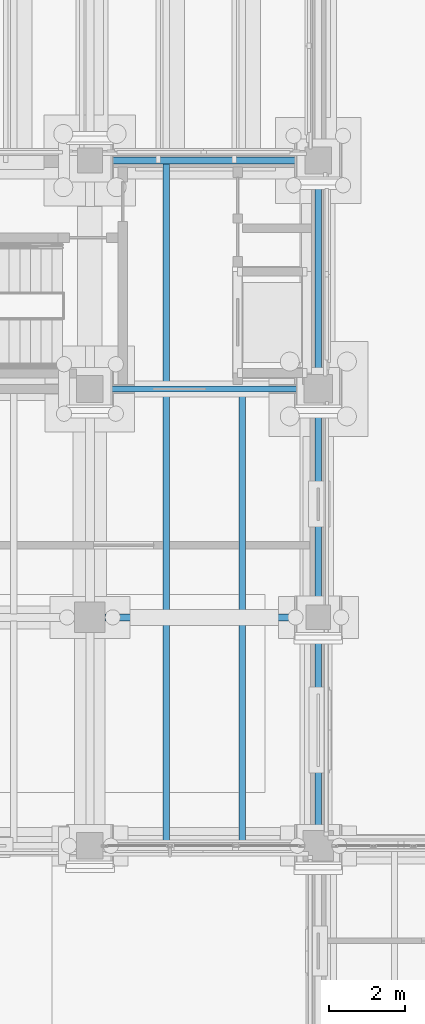
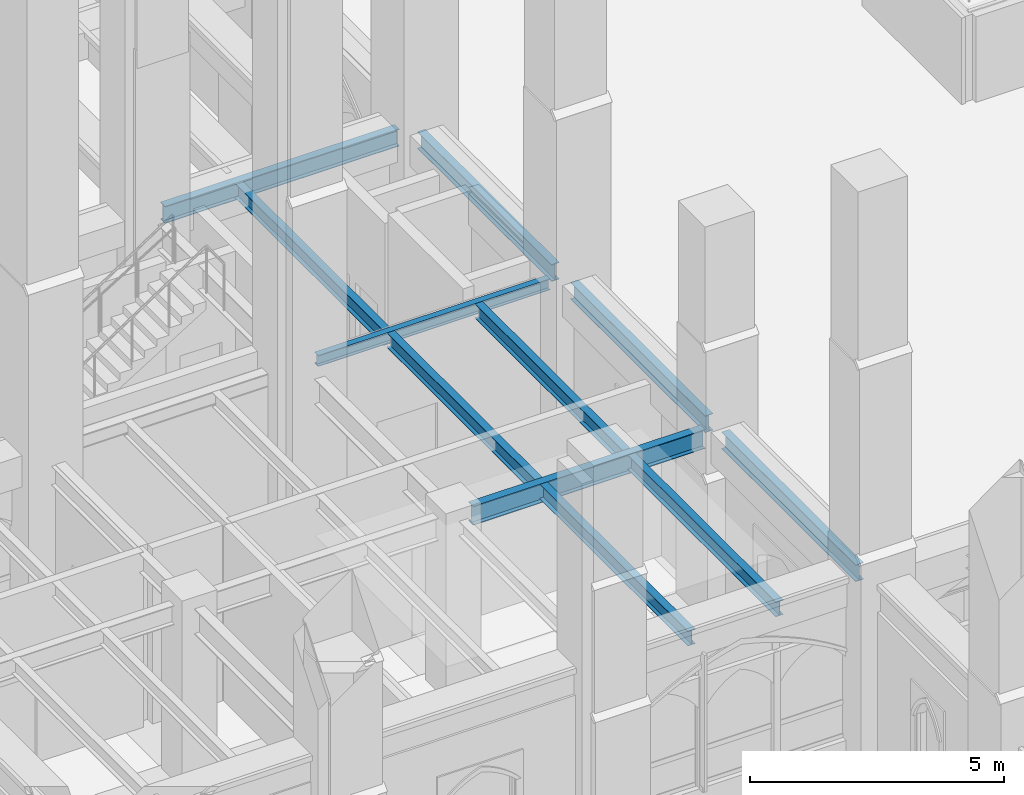
# One storey, part 22 of 135: 11 beams.
"""IFC4 building model written with IfcOpenShell, lengths in metres."""

from ifc_helpers import new_model, si_unit, direction, frame, origin, origin_2d, place, context, subcontext, project, spatial, i_section, extrude, material, material_profile, profile_set, type_object, element, save


model = new_model("IFC4")

# Units and contexts
model_context = context("Model", 3, precision=1e-05, world=origin(), true_north=direction((0.0, 1.0)))
body_context = subcontext(model_context, "Body", "Model", "MODEL_VIEW")
ifc_project = project(units=[si_unit("LENGTHUNIT", "METRE"), si_unit("AREAUNIT", "SQUARE_METRE"), si_unit("VOLUMEUNIT", "CUBIC_METRE"), si_unit("PLANEANGLEUNIT", "RADIAN"), si_unit("MASSUNIT", "GRAM", prefix="KILO")], contexts=[model_context])

# Site, building, storey
site_placement = place(None, origin())
site = spatial("IfcSite", under=ifc_project, at=site_placement, CompositionType="ELEMENT")
building_placement = place(site_placement, origin())
building = spatial("IfcBuilding", under=site, at=building_placement, Name="Cumevento Cable Car Station", CompositionType="ELEMENT")
storey_placement = place(building_placement, origin())
storey = spatial("IfcBuildingStorey", under=building, at=storey_placement, Name="L01", CompositionType="ELEMENT", Elevation=0.0)

# Beams
ifc_material_1 = material(Name="Steel ASTM A572 Grade 50", Category="steel")
ifc_material_profile_1 = material_profile(ifc_material_1, i_section(OverallWidth=0.18994140625, OverallDepth=0.45703125, WebThickness=0.009033203125, FlangeThickness=0.014404296875, at=origin_2d()), Name="W460x74.0")
ifc_profile_set_1 = profile_set([ifc_material_profile_1], Name="Steel ASTM A572 Grade 50")
beam_type_1 = type_object("IfcBeamType", Name="Structural Beam BM-04 W460x74.0", PredefinedType="BEAM", material=ifc_profile_set_1)
beam_1_placement = place(storey_placement, frame((16.39990234375, 21.0, 3.987548828125), z_axis=(1.0, 0.0, 0.0), x_axis=(0.0, 1.0, 0.0)))
element("IfcBeam", 1, at=beam_1_placement, inside=storey, type_object=beam_type_1, Name="Beam BM-04 L01 #97", PredefinedType="BEAM", context=body_context, shape_type="SweptSolid", body=[
    extrude(i_section(OverallWidth=0.18994140625, OverallDepth=0.45703125, WebThickness=0.009033203125, FlangeThickness=0.014404296875, at=origin_2d()), origin(), (0.0, 0.0, 1.0), 5.275146484375),
])
ifc_material_2 = material(Name="Steel ASTM A572 Grade 50", Category="steel")
ifc_material_profile_2 = material_profile(ifc_material_2, i_section(OverallWidth=0.14794921875, OverallDepth=0.26611328125, WebThickness=0.007568359375, FlangeThickness=0.012939453125, at=origin_2d()), Name="W250x44.8")
ifc_profile_set_2 = profile_set([ifc_material_profile_2], Name="Steel ASTM A572 Grade 50")
beam_type_2 = type_object("IfcBeamType", Name="Structural Beam BM-07 W250x44.8", PredefinedType="BEAM", material=ifc_profile_set_2)
beam_2_placement = place(storey_placement, frame((16.35009765625, 27.0, 4.071044921875), z_axis=(1.0, 0.0, 0.0), x_axis=(0.0, 1.0, 0.0)))
element("IfcBeam", 2, at=beam_2_placement, inside=storey, type_object=beam_type_2, Name="Beam BM-07 L01 #100", PredefinedType="BEAM", context=body_context, shape_type="SweptSolid", body=[
    extrude(i_section(OverallWidth=0.14794921875, OverallDepth=0.26611328125, WebThickness=0.007568359375, FlangeThickness=0.012939453125, at=origin_2d()), origin(), (0.0, 0.0, 1.0), 5.27490234375),
])
ifc_material_3 = material(Name="Steel ASTM A572 Grade 50", Category="steel")
ifc_material_profile_3 = material_profile(ifc_material_3, i_section(OverallWidth=0.179931640625, OverallDepth=0.4130859375, WebThickness=0.009765625, FlangeThickness=0.01611328125, at=origin_2d()), Name="W410x74.0")
ifc_profile_set_3 = profile_set([ifc_material_profile_3], Name="Steel ASTM A572 Grade 50")
beam_type_3 = type_object("IfcBeamType", Name="Structural Beam BM-09 W410x74.0", PredefinedType="BEAM", material=ifc_profile_set_3)
beam_3_placement = place(storey_placement, frame((16.324951171875, 33.0, 3.96337890625), z_axis=(1.0, 0.0, 0.0), x_axis=(0.0, 1.0, 0.0)))
element("IfcBeam", 3, at=beam_3_placement, inside=storey, type_object=beam_type_3, Name="Beam BM-09 L01 #110", PredefinedType="BEAM", context=body_context, shape_type="SweptSolid", body=[
    extrude(i_section(OverallWidth=0.179931640625, OverallDepth=0.4130859375, WebThickness=0.009765625, FlangeThickness=0.01611328125, at=origin_2d()), origin(), (0.0, 0.0, 1.0), 5.324951171875),
])
ifc_material_4 = material(Name="Steel ASTM A572 Grade 50", Category="steel")
ifc_material_profile_4 = material_profile(ifc_material_4, i_section(OverallWidth=0.1708984375, OverallDepth=0.35498046875, WebThickness=0.007080078125, FlangeThickness=0.01171875, at=origin_2d()), Name="W360x51.0")
ifc_profile_set_4 = profile_set([ifc_material_profile_4], Name="Steel ASTM A572 Grade 50")
beam_type_4 = type_object("IfcBeamType", Name="Structural Joist JS-01 W360x51.0", PredefinedType="JOIST", material=ifc_profile_set_4)
beam_4_placement = place(storey_placement, frame((18.0, 15.076904296875, 4.03857421875), z_axis=(0.0, 1.0, 0.0), x_axis=(-1.0, 0.0, 0.0)))
element("IfcBeam", 4, at=beam_4_placement, inside=storey, type_object=beam_type_4, Name="Composite Floor Joist JS-01 L01 #370", PredefinedType="JOIST", context=body_context, shape_type="SweptSolid", body=[
    extrude(i_section(OverallWidth=0.1708984375, OverallDepth=0.35498046875, WebThickness=0.007080078125, FlangeThickness=0.01171875, at=origin_2d()), origin(), (0.0, 0.0, 1.0), 5.840087890625),
])
beam_5_placement = place(storey_placement, frame((18.0, 21.0830078125, 4.026611328125), z_axis=(0.0, 1.0, 0.0), x_axis=(-1.0, 0.0, 0.0)))
element("IfcBeam", 5, at=beam_5_placement, inside=storey, type_object=beam_type_4, Name="Composite Floor Joist JS-01 L01 #371", PredefinedType="JOIST", context=body_context, shape_type="SweptSolid", body=[
    extrude(i_section(OverallWidth=0.1708984375, OverallDepth=0.35498046875, WebThickness=0.007080078125, FlangeThickness=0.01171875, at=origin_2d()), origin(), (0.0, 0.0, 1.0), 5.85498046875),
])
beam_6_placement = place(storey_placement, frame((20.0, 15.076904296875, 4.03857421875), z_axis=(0.0, 1.0, 0.0), x_axis=(-1.0, 0.0, 0.0)))
element("IfcBeam", 6, at=beam_6_placement, inside=storey, type_object=beam_type_4, Name="Composite Floor Joist JS-01 L01 #372", PredefinedType="JOIST", context=body_context, shape_type="SweptSolid", body=[
    extrude(i_section(OverallWidth=0.1708984375, OverallDepth=0.35498046875, WebThickness=0.007080078125, FlangeThickness=0.01171875, at=origin_2d()), origin(), (0.0, 0.0, 1.0), 5.840087890625),
])
beam_7_placement = place(storey_placement, frame((20.0, 21.0830078125, 4.026611328125), z_axis=(0.0, 1.0, 0.0), x_axis=(-1.0, 0.0, 0.0)))
element("IfcBeam", 7, at=beam_7_placement, inside=storey, type_object=beam_type_4, Name="Composite Floor Joist JS-01 L01 #373", PredefinedType="JOIST", context=body_context, shape_type="SweptSolid", body=[
    extrude(i_section(OverallWidth=0.1708984375, OverallDepth=0.35498046875, WebThickness=0.007080078125, FlangeThickness=0.01171875, at=origin_2d()), origin(), (0.0, 0.0, 1.0), 5.85498046875),
])
beam_8_placement = place(storey_placement, frame((18.0, 27.06201171875, 3.992431640625), z_axis=(0.0, 1.0, 0.0), x_axis=(-1.0, 0.0, 0.0)))
element("IfcBeam", 8, at=beam_8_placement, inside=storey, type_object=beam_type_4, Name="Composite Floor Joist JS-01 L01 #374", PredefinedType="JOIST", context=body_context, shape_type="SweptSolid", body=[
    extrude(i_section(OverallWidth=0.1708984375, OverallDepth=0.35498046875, WebThickness=0.007080078125, FlangeThickness=0.01171875, at=origin_2d()), origin(), (0.0, 0.0, 1.0), 5.860107421875),
])
ifc_material_5 = material(Name="Steel ASTM A572 Grade 50", Category="steel")
ifc_material_profile_5 = material_profile(ifc_material_5, i_section(OverallWidth=0.177978515625, OverallDepth=0.406982421875, WebThickness=0.0078125, FlangeThickness=0.0126953125, at=origin_2d()), Name="W410x60.0")
ifc_profile_set_5 = profile_set([ifc_material_profile_5], Name="Steel ASTM A572 Grade 50")
beam_type_5 = type_object("IfcBeamType", Name="Structural Spandrel SP-01 W410x60.0", PredefinedType="SPANDREL", material=ifc_profile_set_5)
beam_9_placement = place(storey_placement, frame((22.0, 15.39990234375, 4.012451171875), z_axis=(0.0, 1.0, 0.0), x_axis=(-1.0, 0.0, 0.0)))
element("IfcBeam", 9, at=beam_9_placement, inside=storey, type_object=beam_type_5, Name="Beam SP-01 L01 #107", PredefinedType="SPANDREL", context=body_context, shape_type="SweptSolid", body=[
    extrude(i_section(OverallWidth=0.177978515625, OverallDepth=0.406982421875, WebThickness=0.0078125, FlangeThickness=0.0126953125, at=origin_2d()), origin(), (0.0, 0.0, 1.0), 5.275146484375),
])
beam_10_placement = place(storey_placement, frame((22.0, 21.324951171875, 4.00048828125), z_axis=(0.0, 1.0, 0.0), x_axis=(-1.0, 0.0, 0.0)))
element("IfcBeam", 10, at=beam_10_placement, inside=storey, type_object=beam_type_5, Name="Beam SP-01 L01 #108", PredefinedType="SPANDREL", context=body_context, shape_type="SweptSolid", body=[
    extrude(i_section(OverallWidth=0.177978515625, OverallDepth=0.406982421875, WebThickness=0.0078125, FlangeThickness=0.0126953125, at=origin_2d()), origin(), (0.0, 0.0, 1.0), 5.300048828125),
])
beam_11_placement = place(storey_placement, frame((22.0, 27.375, 3.966552734375), z_axis=(0.0, 1.0, 0.0), x_axis=(-1.0, 0.0, 0.0)))
element("IfcBeam", 11, at=beam_11_placement, inside=storey, type_object=beam_type_5, Name="Beam SP-01 L01 #113", PredefinedType="SPANDREL", context=body_context, shape_type="SweptSolid", body=[
    extrude(i_section(OverallWidth=0.177978515625, OverallDepth=0.406982421875, WebThickness=0.0078125, FlangeThickness=0.0126953125, at=origin_2d()), origin(), (0.0, 0.0, 1.0), 5.27490234375),
])

save(model, "model.ifc")
